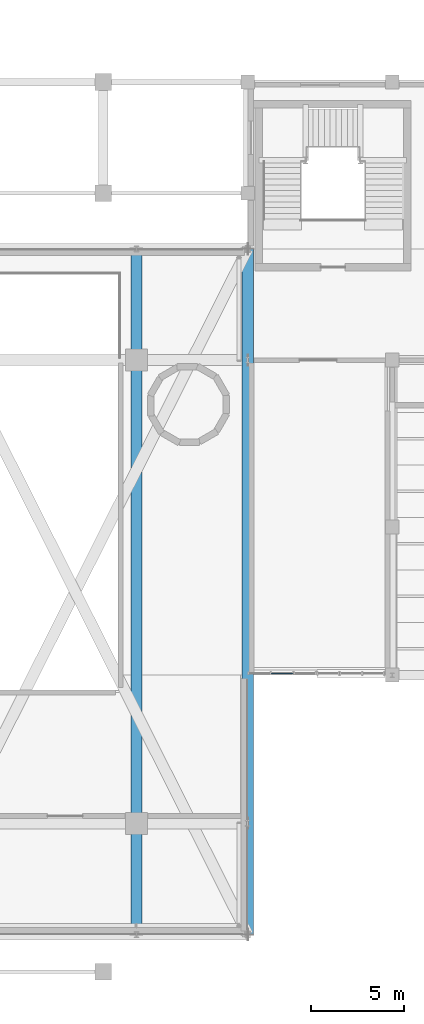
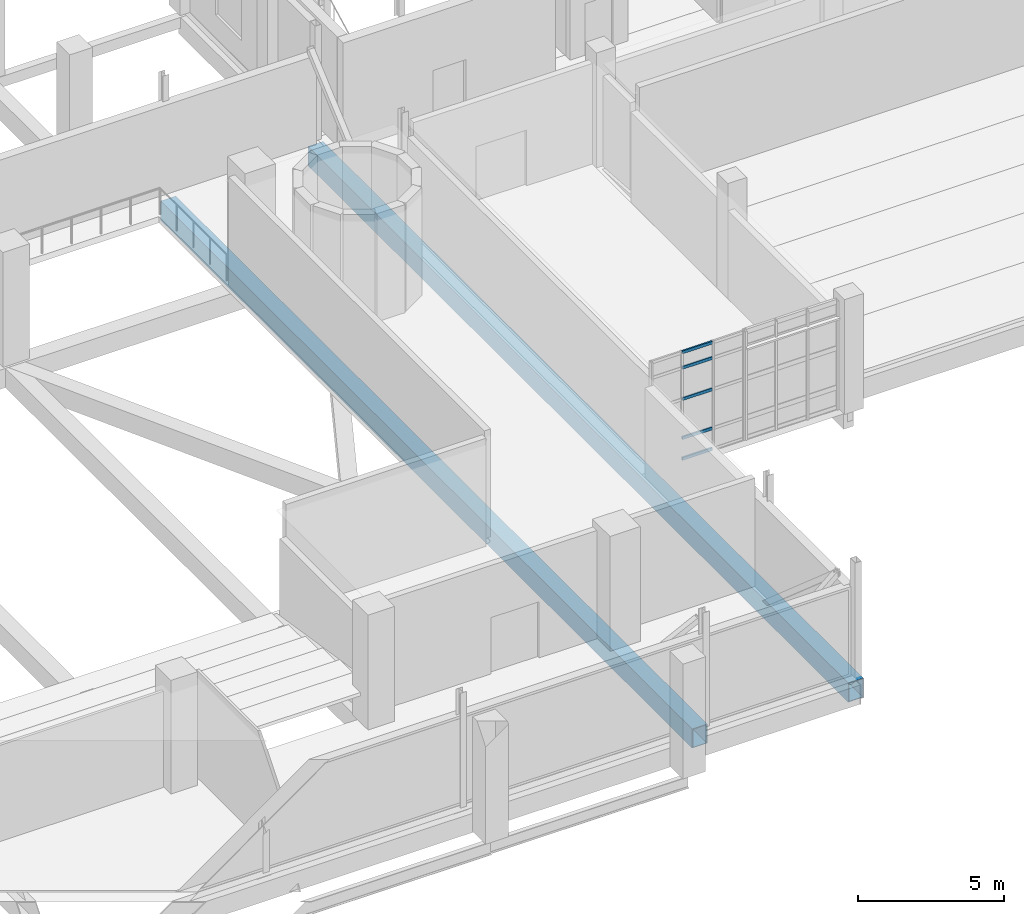
# One storey, part 38 of 100: 5 members, 2 beams, 1 element without a shape of its own.
"""IFC4 building model written with IfcOpenShell, lengths in metres."""

import ifcopenshell
import ifcopenshell.guid

model = None  # the IFC model being written
_history = None  # IfcOwnerHistory: only IFC2X3 demands one
_inside = {}  # id of a spatial element -> (the spatial element, [elements in it])
_under = {}  # id of a project, library or spatial element -> (it, [spatial elements below it])
_declared = {}  # id of a project -> (the project, [libraries it declares])
_typed = {}  # id of a type object -> (the type object, [elements of that type])
_made_of = {}  # id of a material, layer set ... -> (it, [elements and type objects made of it])


def new_model(schema):
    """Start an empty IFC model of exactly this schema.

    Asked for "IFC4X3", IfcOpenShell would pick the latest addendum, in which some entities
    have other attributes; the version numbers below select the first issue.
    IFC2X3 requires an IfcOwnerHistory on every rooted entity: one is made here for all.
    """
    global model, _history
    if schema == "IFC4X3":
        model = ifcopenshell.file(schema_version=(4, 3, 0, 0))
    else:
        model = ifcopenshell.file(schema=schema)
    _inside.clear()
    _under.clear()
    _declared.clear()
    _typed.clear()
    _made_of.clear()
    _history = None
    if model.schema == "IFC2X3":
        org = make("IfcOrganization", Name="unknown")
        user = make(
            "IfcPersonAndOrganization",
            ThePerson=make("IfcPerson", FamilyName="unknown"),
            TheOrganization=org,
        )
        app = make(
            "IfcApplication",
            ApplicationDeveloper=org,
            Version="unknown",
            ApplicationFullName="unknown",
            ApplicationIdentifier="unknown",
        )
        _history = make(
            "IfcOwnerHistory",
            OwningUser=user,
            OwningApplication=app,
            ChangeAction="ADDED",
            CreationDate=0,
        )
    return model


def make(cls, **values):
    """One entity of the class cls with the attributes given. An attribute that is None is left unset."""
    return model.create_entity(
        cls, **{name: value for name, value in values.items() if value is not None}
    )


def rooted(cls, **values):
    """An entity with a GlobalId (a new one), such as an element, a storey or a relation."""
    return make(cls, GlobalId=ifcopenshell.guid.new(), OwnerHistory=_history, **values)


def si_unit(unit_type, name, prefix=None):
    """IfcSIUnit, for example si_unit("LENGTHUNIT", "METRE", prefix="MILLI")."""
    return make("IfcSIUnit", UnitType=unit_type, Prefix=prefix, Name=name)


def derived_unit(unit_type, elements):
    """IfcDerivedUnit: a product of units, each with its exponent."""
    return make(
        "IfcDerivedUnit",
        Elements=[
            make("IfcDerivedUnitElement", Unit=unit, Exponent=power)
            for unit, power in elements
        ],
        UnitType=unit_type,
    )


def assignment(units):
    """IfcUnitAssignment: the units of a project."""
    return None if units is None else make("IfcUnitAssignment", Units=units)


def point(xyz):
    """IfcCartesianPoint."""
    return None if xyz is None else make("IfcCartesianPoint", Coordinates=xyz)


def direction(xyz):
    """IfcDirection."""
    return None if xyz is None else make("IfcDirection", DirectionRatios=xyz)


def frame(location, z_axis=None, x_axis=None):
    """IfcAxis2Placement3D, a coordinate frame: its origin and axes. An axis left out is left unset."""
    return make(
        "IfcAxis2Placement3D",
        Location=point(location),
        Axis=direction(z_axis),
        RefDirection=direction(x_axis),
    )


def frame_2d(location, x_axis=None):
    """IfcAxis2Placement2D, a coordinate frame in the plane: its origin and x axis."""
    return make(
        "IfcAxis2Placement2D", Location=point(location), RefDirection=direction(x_axis)
    )


def origin():
    """The frame at (0, 0, 0) with its axes left unset."""
    return frame((0.0, 0.0, 0.0))


def origin_2d():
    """The frame at (0, 0) in the plane with its x axis left unset."""
    return frame_2d((0.0, 0.0))


def place(relative_to, where):
    """IfcLocalPlacement: puts the frame where relative to a parent placement (None: the world)."""
    return make(
        "IfcLocalPlacement", PlacementRelTo=relative_to, RelativePlacement=where
    )


def context(
    kind, dimensions, precision=None, world=None, true_north=None, identifier=None
):
    """IfcGeometricRepresentationContext, for example the 3D "Model" context."""
    return make(
        "IfcGeometricRepresentationContext",
        ContextIdentifier=identifier,
        ContextType=kind,
        CoordinateSpaceDimension=dimensions,
        Precision=precision,
        WorldCoordinateSystem=world,
        TrueNorth=true_north,
    )


def subcontext(parent, identifier, kind, view, scale=None):
    """IfcGeometricRepresentationSubContext, for example "Body" below "Model"."""
    return make(
        "IfcGeometricRepresentationSubContext",
        ContextIdentifier=identifier,
        ContextType=kind,
        ParentContext=parent,
        TargetScale=scale,
        TargetView=view,
    )


def project(units=None, contexts=None):
    """IfcProject with its units and contexts."""
    return rooted(
        "IfcProject",
        Name="project",
        RepresentationContexts=contexts,
        UnitsInContext=assignment(units),
    )


def spatial(cls, under=None, at=None, **own):
    """A site, building, storey or space (cls), placed at a placement, below another one or the project."""
    s = rooted(cls, ObjectPlacement=at, **own)
    if under is not None:
        _under.setdefault(under.id(), (under, []))[1].append(s)
    return s


def profile(cls, at=None, kind="AREA", **sizes):
    """A parametric profile (cls). Its sizes go by their IFC names, for example OverallWidth=200.0."""
    return make(cls, ProfileType=kind, Position=at, **sizes)


def hollow_rectangle(**sizes):
    """IfcRectangleHollowProfileDef."""
    return profile("IfcRectangleHollowProfileDef", **sizes)


def extrude(swept, where, along, depth):
    """IfcExtrudedAreaSolid: the profile swept, set in the frame where, extruded along a direction by depth."""
    return make(
        "IfcExtrudedAreaSolid",
        SweptArea=swept,
        Position=where,
        ExtrudedDirection=direction(along),
        Depth=depth,
    )


def shape(context_of_items, identifier, shape_type, items):
    """IfcShapeRepresentation: the items that make up one representation, for example the "Body"."""
    return make(
        "IfcShapeRepresentation",
        ContextOfItems=context_of_items,
        RepresentationIdentifier=identifier,
        RepresentationType=shape_type,
        Items=items,
    )


def material(Name=None, Category=None):
    """IfcMaterial."""
    return make("IfcMaterial", Name=Name, Category=Category)


def layer(
    of_material, thickness, ventilated=None, Name=None, Category=None, Priority=None
):
    """IfcMaterialLayer: one layer of a wall or slab, of a material (None: an air gap)."""
    return make(
        "IfcMaterialLayer",
        Material=of_material,
        LayerThickness=thickness,
        IsVentilated=ventilated,
        Name=Name,
        Category=Category,
        Priority=Priority,
    )


def layer_set(layers, Name=None):
    """IfcMaterialLayerSet."""
    return make("IfcMaterialLayerSet", MaterialLayers=layers, LayerSetName=Name)


def material_profile(
    of_material, cross_section, Name=None, Category=None, Priority=None
):
    """IfcMaterialProfile: a cross section and its material."""
    return make(
        "IfcMaterialProfile",
        Name=Name,
        Material=of_material,
        Profile=cross_section,
        Priority=Priority,
        Category=Category,
    )


def profile_set(profiles, Name=None, composite=None):
    """IfcMaterialProfileSet."""
    return make(
        "IfcMaterialProfileSet",
        Name=Name,
        MaterialProfiles=profiles,
        CompositeProfile=composite,
    )


def made_of(thing, what):
    """Note that an element or type object is made of a material, layer set ...; save() writes the relation."""
    if what is not None:
        _made_of.setdefault(what.id(), (what, []))[1].append(thing)
    return thing


def type_object(cls, material=None, **own):
    """A type object (cls), such as IfcWallType, which elements share."""
    return made_of(rooted(cls, **own), material)


def element(
    cls,
    number,
    at=None,
    inside=None,
    cuts=None,
    type_object=None,
    material=None,
    context=None,
    identifier="Body",
    shape_type=None,
    held_by="IfcProductDefinitionShape",
    body=None,
    shapes=None,
    **own,
):
    """One element of the class cls, such as IfcWall. Its Tag is "e" and its number.

    at: its placement. inside: the storey or other place that contains it. cuts: it is an
    opening in that element (IfcRelVoidsElement). A single representation is given by context,
    identifier, shape_type and body (its items); several are given by shapes. held_by: the class
    of the entity that holds the representations. save() writes the other relations.
    """
    e = rooted(cls, Tag="e%d" % number, ObjectPlacement=at, **own)
    if body is not None:
        shapes = [shape(context, identifier, shape_type, body)]
    if shapes is not None:
        e.Representation = make(held_by, Representations=shapes)
    if inside is not None:
        _inside.setdefault(inside.id(), (inside, []))[1].append(e)
    if cuts is not None:
        rooted(
            "IfcRelVoidsElement", RelatingBuildingElement=cuts, RelatedOpeningElement=e
        )
    if type_object is not None:
        _typed.setdefault(type_object.id(), (type_object, []))[1].append(e)
    return made_of(e, material)


def aggregate(whole, parts):
    """IfcRelAggregates: a whole, such as a stair, and the parts it consists of."""
    return rooted("IfcRelAggregates", RelatingObject=whole, RelatedObjects=parts)


def save(model, path):
    """Write the relations noted so far, then the file.

    IfcRelAggregates (storeys below a building ...), IfcRelContainedInSpatialStructure (elements
    in a storey), IfcRelDefinesByType, IfcRelAssociatesMaterial and IfcRelDeclares: one each for
    every whole, place, type object, material and project.
    """
    for whole, parts in _under.values():
        aggregate(whole, parts)
    for where, things in _inside.values():
        rooted(
            "IfcRelContainedInSpatialStructure",
            RelatedElements=things,
            RelatingStructure=where,
        )
    for kind, things in _typed.values():
        rooted("IfcRelDefinesByType", RelatedObjects=things, RelatingType=kind)
    for what, things in _made_of.values():
        rooted("IfcRelAssociatesMaterial", RelatedObjects=things, RelatingMaterial=what)
    for by, libraries in _declared.values():
        rooted("IfcRelDeclares", RelatingContext=by, RelatedDefinitions=libraries)
    model.write(path)


model = new_model("IFC4")

# Units and contexts
model_context = context("Model", 3, precision=1e-05, world=origin(), true_north=direction((0.0, 1.0)))
body_context = subcontext(model_context, "Body", "Model", "MODEL_VIEW")
ifc_project = project(units=[si_unit("LENGTHUNIT", "METRE"), si_unit("AREAUNIT", "SQUARE_METRE"), si_unit("VOLUMEUNIT", "CUBIC_METRE"), si_unit("PLANEANGLEUNIT", "RADIAN"), si_unit("MASSUNIT", "GRAM", prefix="KILO"), derived_unit("THERMALTRANSMITTANCEUNIT", [(si_unit("POWERUNIT", "WATT"), 1), (si_unit("LENGTHUNIT", "METRE"), -2), (si_unit("THERMODYNAMICTEMPERATUREUNIT", "KELVIN"), -1)])], contexts=[model_context])

# Site, building, storey
site_placement = place(None, origin())
site = spatial("IfcSite", under=ifc_project, at=site_placement, CompositionType="ELEMENT")
building_placement = place(site_placement, origin())
building = spatial("IfcBuilding", under=site, at=building_placement, Name="Nallur Shell Playhouse", CompositionType="ELEMENT")
storey_placement = place(building_placement, frame((0.0, 0.0, 10.199951171875)))
storey = spatial("IfcBuildingStorey", under=building, at=storey_placement, Name="L03", CompositionType="ELEMENT", Elevation=10.199951171875)

# Beams
ifc_material_1 = material(Name="Steel E350", Category="steel")
ifc_material_profile_1 = material_profile(ifc_material_1, hollow_rectangle(XDim=0.60009765625, YDim=0.800048828125, WallThickness=0.02490234375, at=origin_2d()), Name="BOX 600x800x25")
ifc_profile_set_1 = profile_set([ifc_material_profile_1], Name="Steel E350")
beam_type = type_object("IfcBeamType", Name="BM-TT-CHORD", PredefinedType="BEAM", material=ifc_profile_set_1)
beam_1_placement = place(storey_placement, frame((112.60009765625, 10.298095703125, -0.659912109375), z_axis=(0.0, 1.0, 0.0), x_axis=(-1.0, 0.0, 0.0)))
element("IfcBeam", 1, at=beam_1_placement, inside=storey, type_object=beam_type, Name="Transfer truss TT-8 top chord 1", PredefinedType="BEAM", context=body_context, shape_type="SweptSolid", body=[
    extrude(hollow_rectangle(XDim=0.60009765625, YDim=0.800048828125, WallThickness=0.02490234375, at=origin_2d()), origin(), (0.0, 0.0, 1.0), 36.40380859375),
])
beam_2_placement = place(storey_placement, frame((118.60009765625, 10.0, -0.659912109375), z_axis=(0.0, 1.0, 0.0), x_axis=(-1.0, 0.0, 0.0)))
element("IfcBeam", 2, at=beam_2_placement, inside=storey, type_object=beam_type, Name="Gold box perimeter chord L03-E1", PredefinedType="BEAM", context=body_context, shape_type="SweptSolid", body=[
    extrude(hollow_rectangle(XDim=0.60009765625, YDim=0.800048828125, WallThickness=0.02490234375, at=origin_2d()), origin(), (0.0, 0.0, 1.0), 37.0),
])

# Curtain wall, members
ifc_material_2 = material(Name="Anodised Aluminium Double-Glazed Facade System", Category="aluminium")
ifc_layer = layer(ifc_material_2, 0.1640625)
ifc_layer_set = layer_set([ifc_layer], Name="Anodised Aluminium Double-Glazed Facade System")
curtain_wall_type = type_object("IfcCurtainWallType", Name="CW-UNIT-01", PredefinedType="NOTDEFINED", material=ifc_layer_set)
curtain_wall_placement = place(storey_placement, origin())
curtain_wall = element("IfcCurtainWall", 3, at=curtain_wall_placement, inside=storey, type_object=curtain_wall_type, Name="Unitised curtain wall CW-097 (L03)", PredefinedType="NOTDEFINED")
ifc_material_3 = material(Name="Aluminium Alloy 6063-T6 Transom", Category="aluminium")
ifc_material_profile_2 = material_profile(ifc_material_3, hollow_rectangle(XDim=0.06494140625, YDim=0.1201171875, WallThickness=0.00390625, at=origin_2d()), Name="ALU 65x120x4")
ifc_profile_set_2 = profile_set([ifc_material_profile_2], Name="Aluminium Alloy 6063-T6 Transom")
member_type = type_object("IfcMemberType", Name="MB-CW-TRN120", PredefinedType="USERDEFINED", material=ifc_profile_set_2)
member_1_placement = place(storey_placement, frame((121.04443359375, 24.090087890625, 0.032470703125), z_axis=(-1.0, 0.0, 0.0), x_axis=(0.0, -1.0, 0.0)))
member_1 = element("IfcMember", 4, at=member_1_placement, type_object=member_type, Name="CW-01 transom 2.1", ObjectType="TRANSOM", PredefinedType="USERDEFINED", context=body_context, shape_type="SweptSolid", body=[
    extrude(hollow_rectangle(XDim=0.06494140625, YDim=0.1201171875, WallThickness=0.00390625, at=origin_2d()), origin(), (0.0, 0.0, 1.0), 1.185546875),
])
member_2_placement = place(storey_placement, frame((121.04443359375, 24.090087890625, 0.900146484375), z_axis=(-1.0, 0.0, 0.0), x_axis=(0.0, -1.0, 0.0)))
member_2 = element("IfcMember", 5, at=member_2_placement, type_object=member_type, Name="CW-01 transom 2.2", ObjectType="TRANSOM", PredefinedType="USERDEFINED", context=body_context, shape_type="SweptSolid", body=[
    extrude(hollow_rectangle(XDim=0.06494140625, YDim=0.1201171875, WallThickness=0.00390625, at=origin_2d()), origin(), (0.0, 0.0, 1.0), 1.185546875),
])
member_3_placement = place(storey_placement, frame((121.04443359375, 24.090087890625, 2.531005859375), z_axis=(-1.0, 0.0, 0.0), x_axis=(0.0, -1.0, 0.0)))
member_3 = element("IfcMember", 6, at=member_3_placement, type_object=member_type, Name="CW-01 transom 2.3", ObjectType="TRANSOM", PredefinedType="USERDEFINED", context=body_context, shape_type="SweptSolid", body=[
    extrude(hollow_rectangle(XDim=0.06494140625, YDim=0.1201171875, WallThickness=0.00390625, at=origin_2d()), origin(), (0.0, 0.0, 1.0), 1.185546875),
])
member_4_placement = place(storey_placement, frame((121.04443359375, 24.090087890625, 3.840087890625), z_axis=(-1.0, 0.0, 0.0), x_axis=(0.0, -1.0, 0.0)))
member_4 = element("IfcMember", 7, at=member_4_placement, type_object=member_type, Name="CW-01 transom 2.4", ObjectType="TRANSOM", PredefinedType="USERDEFINED", context=body_context, shape_type="SweptSolid", body=[
    extrude(hollow_rectangle(XDim=0.06494140625, YDim=0.1201171875, WallThickness=0.00390625, at=origin_2d()), origin(), (0.0, 0.0, 1.0), 1.185546875),
])
member_5_placement = place(storey_placement, frame((121.04443359375, 24.090087890625, 4.487548828125), z_axis=(-1.0, 0.0, 0.0), x_axis=(0.0, -1.0, 0.0)))
member_5 = element("IfcMember", 8, at=member_5_placement, type_object=member_type, Name="CW-01 transom 2.5", ObjectType="TRANSOM", PredefinedType="USERDEFINED", context=body_context, shape_type="SweptSolid", body=[
    extrude(hollow_rectangle(XDim=0.06494140625, YDim=0.1201171875, WallThickness=0.00390625, at=origin_2d()), origin(), (0.0, 0.0, 1.0), 1.185546875),
])
aggregate(curtain_wall, [member_1, member_2, member_3, member_4, member_5])

save(model, "model.ifc")
